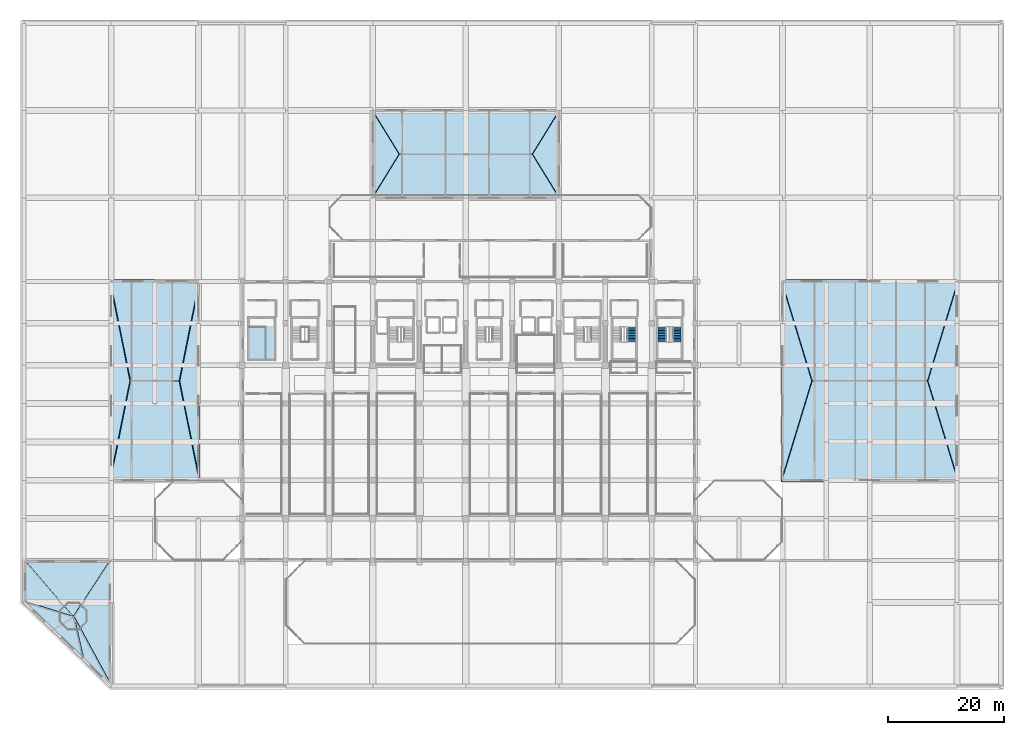
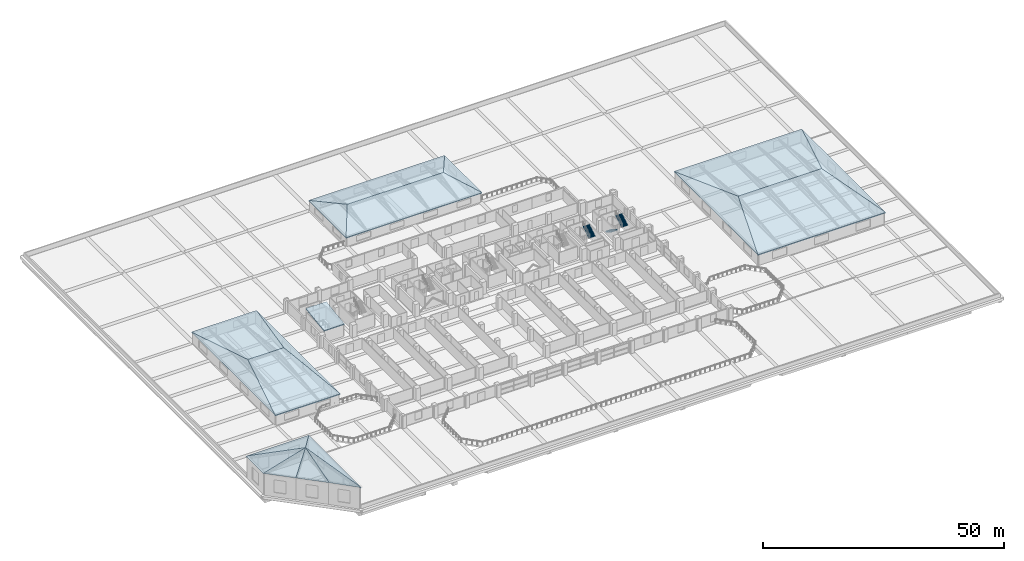
# One storey, part 44 of 49: 19 roofs, 3 stair flights, 2 elements without a shape of their own.
"""IFC4 building model written with IfcOpenShell, lengths in metres."""

from ifc_helpers import new_model, si_unit, direction, frame, origin, place, context, subcontext, project, spatial, polyline, outline, extrude, material, layer, layer_set, type_object, element, aggregate, save


model = new_model("IFC4")

# Units and contexts
model_context = context("Model", 3, precision=1e-05, world=origin(), true_north=direction((0.0, 1.0)))
body_context = subcontext(model_context, "Body", "Model", "MODEL_VIEW")
ifc_project = project(units=[si_unit("LENGTHUNIT", "METRE"), si_unit("AREAUNIT", "SQUARE_METRE"), si_unit("VOLUMEUNIT", "CUBIC_METRE"), si_unit("PLANEANGLEUNIT", "RADIAN"), si_unit("MASSUNIT", "GRAM", prefix="KILO")], contexts=[model_context])

# Site, building, storey
site_placement = place(None, origin())
site = spatial("IfcSite", under=ifc_project, at=site_placement, CompositionType="ELEMENT")
building_placement = place(site_placement, origin())
building = spatial("IfcBuilding", under=site, at=building_placement, Name="Akrevak Sports Hall", CompositionType="ELEMENT")
storey_placement = place(building_placement, frame((0.0, 0.0, 24.14990234375)))
storey = spatial("IfcBuildingStorey", under=building, at=storey_placement, Name="L04", CompositionType="ELEMENT", Elevation=24.14990234375)

# Stair, stair flight
ifc_material_1 = material(Name="Concrete C40/50", Category="concrete")
stair_type = type_object("IfcStairType", Name="ARC-STR-DOG-340", PredefinedType="HALF_TURN_STAIR", material=ifc_material_1)
stair_1_placement = place(storey_placement, origin())
stair_1 = element("IfcStair", 1, at=stair_1_placement, inside=storey, type_object=stair_type, Name="East Wing Exit Stair ST10 (L04 to L05)", PredefinedType="HALF_TURN_STAIR")
stair_flight_type = type_object("IfcStairFlightType", Name="ARC-FLT-165-170", PredefinedType="STRAIGHT", material=ifc_material_1)
stair_flight_1_placement = place(storey_placement, frame((104.489990234375, 59.215087890625, 1.7001953125), z_axis=(0.0, 0.0, 1.0), x_axis=(0.0, 1.0, 0.0)))
stair_flight_1 = element("IfcStairFlight", 2, at=stair_flight_1_placement, type_object=stair_flight_type, Name="Stair ST10 Flight 2 (L04)", NumberOfRisers=10, NumberOfTreads=9, PredefinedType="STRAIGHT", RiserHeight=0.17, TreadLength=0.28, context=body_context, shape_type="SweptSolid", body=[
    extrude(outline(polyline([(0.0, 0.0), (0.0, 0.169921875), (0.280029296875, 0.169921875), (0.280029296875, 0.340087890625), (0.56005859375, 0.340087890625), (0.56005859375, 0.510009765625), (0.840087890625, 0.510009765625), (0.840087890625, 0.679931640625), (1.1201171875, 0.679931640625), (1.1201171875, 0.85009765625), (1.39990234375, 0.85009765625), (1.39990234375, 1.02001953125), (1.679931640625, 1.02001953125), (1.679931640625, 1.18994140625), (1.9599609375, 1.18994140625), (1.9599609375, 1.360107421875), (2.239990234375, 1.360107421875), (2.239990234375, 1.530029296875), (2.52001953125, 1.530029296875), (2.52001953125, 1.699951171875), (2.52001953125, 1.296142578125), (0.38525390625, 0.0), (0.0, 0.0)])), frame((0.0, 0.75, 0.0), z_axis=(0.0, -1.0, 0.0), x_axis=(1.0, 0.0, 0.0)), (0.0, 0.0, 1.0), 1.5),
])
aggregate(stair_1, [stair_flight_1])

# Stair, stair flights
stair_2_placement = place(storey_placement, origin())
stair_2 = element("IfcStair", 3, at=stair_2_placement, inside=storey, type_object=stair_type, Name="East Transfer Exit Stair ST11 (L04 to L05)", PredefinedType="HALF_TURN_STAIR")
stair_flight_2_placement = place(storey_placement, frame((109.81005859375, 61.735107421875, 0.0), z_axis=(0.0, 0.0, 1.0), x_axis=(0.0, -1.0, 0.0)))
stair_flight_2 = element("IfcStairFlight", 4, at=stair_flight_2_placement, type_object=stair_flight_type, Name="Stair ST11 Flight 1 (L04)", NumberOfRisers=10, NumberOfTreads=9, PredefinedType="STRAIGHT", RiserHeight=0.17, TreadLength=0.28, context=body_context, shape_type="SweptSolid", body=[
    extrude(outline(polyline([(0.0, 0.0), (0.0, 0.169921875), (0.280029296875, 0.169921875), (0.280029296875, 0.340087890625), (0.56005859375, 0.340087890625), (0.56005859375, 0.510009765625), (0.840087890625, 0.510009765625), (0.840087890625, 0.679931640625), (1.1201171875, 0.679931640625), (1.1201171875, 0.85009765625), (1.39990234375, 0.85009765625), (1.39990234375, 1.02001953125), (1.679931640625, 1.02001953125), (1.679931640625, 1.18994140625), (1.9599609375, 1.18994140625), (1.9599609375, 1.360107421875), (2.239990234375, 1.360107421875), (2.239990234375, 1.530029296875), (2.52001953125, 1.530029296875), (2.52001953125, 1.699951171875), (2.52001953125, 1.296142578125), (0.38525390625, 0.0), (0.0, 0.0)])), frame((0.0, 0.75, 0.0), z_axis=(0.0, -1.0, 0.0), x_axis=(1.0, 0.0, 0.0)), (0.0, 0.0, 1.0), 1.5),
])
stair_flight_3_placement = place(storey_placement, frame((112.2900390625, 59.215087890625, 1.7001953125), z_axis=(0.0, 0.0, 1.0), x_axis=(0.0, 1.0, 0.0)))
stair_flight_3 = element("IfcStairFlight", 5, at=stair_flight_3_placement, type_object=stair_flight_type, Name="Stair ST11 Flight 2 (L04)", NumberOfRisers=10, NumberOfTreads=9, PredefinedType="STRAIGHT", RiserHeight=0.17, TreadLength=0.28, context=body_context, shape_type="SweptSolid", body=[
    extrude(outline(polyline([(0.0, 0.0), (0.0, 0.169921875), (0.280029296875, 0.169921875), (0.280029296875, 0.340087890625), (0.56005859375, 0.340087890625), (0.56005859375, 0.510009765625), (0.840087890625, 0.510009765625), (0.840087890625, 0.679931640625), (1.1201171875, 0.679931640625), (1.1201171875, 0.85009765625), (1.39990234375, 0.85009765625), (1.39990234375, 1.02001953125), (1.679931640625, 1.02001953125), (1.679931640625, 1.18994140625), (1.9599609375, 1.18994140625), (1.9599609375, 1.360107421875), (2.239990234375, 1.360107421875), (2.239990234375, 1.530029296875), (2.52001953125, 1.530029296875), (2.52001953125, 1.699951171875), (2.52001953125, 1.296142578125), (0.38525390625, 0.0), (0.0, 0.0)])), frame((0.0, 0.75, 0.0), z_axis=(0.0, -1.0, 0.0), x_axis=(1.0, 0.0, 0.0)), (0.0, 0.0, 1.0), 1.5),
])
aggregate(stair_2, [stair_flight_2, stair_flight_3])

# Roofs
ifc_material_2 = material(Name="Patinated Copper-Zinc Dome on Concrete C40/50", Category="aluminium")
ifc_layer_1 = layer(ifc_material_2, 0.260009765625, Name="Patinated Copper-Zinc Dome on Concrete C40/50")
ifc_layer_set_1 = layer_set([ifc_layer_1], Name="Patinated Copper-Zinc Dome on Concrete C40/50")
roof_type_1 = type_object("IfcRoofType", Name="ARC-ROOF-DOME", PredefinedType="DOME_ROOF", material=ifc_layer_set_1)
roof_1_placement = place(storey_placement, frame((14.999267578125, -0.158203125, 5.7001953125), z_axis=(0.621047514925, 0.0, 0.783772916223), x_axis=(0.0, 1.0, 0.0)))
element("IfcRoof", 6, at=roof_1_placement, inside=storey, type_object=roof_type_1, Name="Beaux-Arts Corner Rotunda Cupola Gore 1", PredefinedType="DOME_ROOF", context=body_context, shape_type="SweptSolid", body=[
    extrude(outline(polyline([(0.0, 0.0), (21.8564453125, 0.0), (11.958251953125, 8.292283955716215), (0.0, 0.0)])), origin(), (0.0, 0.0, -1.0), 0.260009765625),
])
roof_2_placement = place(storey_placement, frame((14.999267578125, 21.6982421875, 5.7001953125), z_axis=(0.0, 0.461553206836, 0.887112527958), x_axis=(-1.0, 0.0, 0.0)))
element("IfcRoof", 7, at=roof_2_placement, inside=storey, type_object=roof_type_1, Name="Beaux-Arts Corner Rotunda Cupola Gore 2", PredefinedType="DOME_ROOF", context=body_context, shape_type="SweptSolid", body=[
    extrude(outline(polyline([(0.0, 0.0), (15.05859375, 0.0), (6.499267578125, 11.15776527489878), (0.0, 0.0)])), origin(), (0.0, 0.0, -1.0), 0.260009765625),
])
roof_3_placement = place(storey_placement, frame((-0.059326171875, 21.6982421875, 5.7001953125), z_axis=(-0.515548466587, 0.0, 0.856860419555), x_axis=(0.0, -1.0, 0.0)))
element("IfcRoof", 8, at=roof_3_placement, inside=storey, type_object=roof_type_1, Name="Beaux-Arts Corner Rotunda Cupola Gore 3", PredefinedType="DOME_ROOF", context=body_context, shape_type="SweptSolid", body=[
    extrude(outline(polyline([(0.0, 0.0), (7.22021484375, 0.0), (9.898193359375, 9.989172071133126), (0.0, 0.0)])), origin(), (0.0, 0.0, -1.0), 0.260009765625),
])
roof_4_placement = place(storey_placement, frame((-0.059326171875, 14.47802734375, 5.7001953125), z_axis=(-0.547224434351, -0.569500040704, 0.613363776308), x_axis=(0.721068192209, -0.692864100805, 0.0)))
element("IfcRoof", 9, at=roof_4_placement, inside=storey, type_object=roof_type_1, Name="Beaux-Arts Corner Rotunda Cupola Gore 4", PredefinedType="DOME_ROOF", context=body_context, shape_type="SweptSolid", body=[
    extrude(outline(polyline([(0.0, 0.0), (6.94228289236211, 4.440892098500626e-16), (8.02733302548577, 6.520510110014449), (0.0, 0.0)])), origin(), (0.0, 0.0, -1.0), 0.260009765625),
])
roof_5_placement = place(storey_placement, frame((4.946533203125, 9.66796875, 5.7001953125), z_axis=(-0.54699738133, -0.56976755527, 0.613317860313), x_axis=(0.721374336453, -0.692545353537, 0.0)))
element("IfcRoof", 10, at=roof_5_placement, inside=storey, type_object=roof_type_1, Name="Beaux-Arts Corner Rotunda Cupola Gore 5", PredefinedType="DOME_ROOF", context=body_context, shape_type="SweptSolid", body=[
    extrude(outline(polyline([(0.0, 0.0), (7.139015187411244, 0.0), (1.086817601229876, 6.520215747032399), (0.0, 0.0)])), origin(), (0.0, 0.0, -1.0), 0.260009765625),
])
roof_6_placement = place(storey_placement, frame((10.096435546875, 4.723876953125, 5.7001953125), z_axis=(-0.563152166741, -0.565545922513, 0.602509291732), x_axis=(0.708604827713, -0.705605554217, 0.0)))
element("IfcRoof", 11, at=roof_6_placement, inside=storey, type_object=roof_type_1, Name="Beaux-Arts Corner Rotunda Cupola Gore 6", PredefinedType="DOME_ROOF", context=body_context, shape_type="SweptSolid", body=[
    extrude(outline(polyline([(0.0, 0.0), (6.918993266066677, 4.440892098500626e-16), (-6.124228113241013, 6.452607149595989), (0.0, 0.0)])), origin(), (0.0, 0.0, -1.0), 0.260009765625),
])
ifc_material_3 = material(Name="Standing Seam Slate-Zinc Roofing", Category="aluminium")
ifc_layer_2 = layer(ifc_material_3, 0.239990234375, Name="Standing Seam Slate-Zinc Roofing")
ifc_layer_set_2 = layer_set([ifc_layer_2], Name="Standing Seam Slate-Zinc Roofing")
roof_type_2 = type_object("IfcRoofType", Name="ARC-ROOF-MANSARD", PredefinedType="MANSARD_ROOF", material=ifc_layer_set_2)
for number, where, z_axis, x_axis, name in (
    (12, (14.699951171875, 35.10009765625, 2.7001953125), (0.0, -0.13383485503, 0.991003648621), (1.0, 0.0, 0.0), "West Sports Hall Clerestory Monitor Roof S Slope"),
    (13, (30.300048828125, 69.89990234375, 2.7001953125), (0.0, 0.13383485503, 0.991003648621), (-1.0, 0.0, 0.0), "West Sports Hall Clerestory Monitor Roof N Slope"),
):
    element("IfcRoof", number, at=place(storey_placement, frame(where, z_axis=z_axis, x_axis=x_axis)), inside=storey, type_object=roof_type_2, Name=name, PredefinedType="MANSARD_ROOF", context=body_context, shape_type="SweptSolid", body=[
        extrude(outline(polyline([(0.0, 0.0), (15.60009765625, 0.0), (12.10009765625, 17.557859012901655), (3.5, 17.557859012901655), (0.0, 0.0)])), origin(), (0.0, 0.0, -1.0), 0.239990234375),
    ])
for number, where, z_axis, x_axis, name in (
    (14, (30.300048828125, 35.10009765625, 2.7001953125), (0.557410237238, 0.0, 0.830237211538), (0.0, 1.0, 0.0), "West Sports Hall Clerestory Monitor Roof E Slope"),
    (15, (14.699951171875, 69.89990234375, 2.7001953125), (-0.557410237238, 0.0, 0.830237211538), (0.0, -1.0, 0.0), "West Sports Hall Clerestory Monitor Roof W Slope"),
):
    element("IfcRoof", number, at=place(storey_placement, frame(where, z_axis=z_axis, x_axis=x_axis)), inside=storey, type_object=roof_type_2, Name=name, PredefinedType="MANSARD_ROOF", context=body_context, shape_type="SweptSolid", body=[
        extrude(outline(polyline([(0.0, 0.0), (34.7998046875, 0.0), (17.39990234375, 4.2156626460018325), (0.0, 0.0)])), origin(), (0.0, 0.0, -1.0), 0.239990234375),
    ])
roof_7_placement = place(storey_placement, frame((38.449951171875, 56.0, 3.14013671875), z_axis=(0.0, -0.139040416585, 0.99028670725), x_axis=(1.0, 0.0, 0.0)))
element("IfcRoof", 16, at=roof_7_placement, inside=storey, type_object=roof_type_2, Name="West Transfer Stair ST9 Penthouse Shed Roof", PredefinedType="MANSARD_ROOF", context=body_context, shape_type="SweptSolid", body=[
    extrude(outline(polyline([(0.0, 0.0), (4.900146484375, 0.0), (4.900146484375, 7.62410398205946), (0.0, 7.62410398205946), (0.0, 0.0)])), origin(), (0.0, 0.0, -1.0), 0.239990234375),
])
for number, where, z_axis, x_axis, name in (
    (17, (130.199951171875, 35.10009765625, 2.900146484375), (0.0, -0.136632693666, 0.990621777987), (1.0, 0.0, 0.0), "East Volleyball & Climbing Hall Monitor Roof S Slope"),
    (18, (160.800048828125, 69.89990234375, 2.900146484375), (0.0, 0.136632693666, 0.990621777987), (-1.0, 0.0, 0.0), "East Volleyball & Climbing Hall Monitor Roof N Slope"),
):
    element("IfcRoof", number, at=place(storey_placement, frame(where, z_axis=z_axis, x_axis=x_axis)), inside=storey, type_object=roof_type_2, Name=name, PredefinedType="MANSARD_ROOF", context=body_context, shape_type="SweptSolid", body=[
        extrude(outline(polyline([(0.0, 0.0), (30.60009765625, 0.0), (25.300048828125, 17.564627318322852), (5.300048828125, 17.564627318322852), (0.0, 0.0)])), origin(), (0.0, 0.0, -1.0), 0.239990234375),
    ])
for number, where, z_axis, x_axis, name in (
    (19, (160.800048828125, 35.10009765625, 2.900146484375), (0.412490470754, 0.0, 0.910961915525), (0.0, 1.0, 0.0), "East Volleyball & Climbing Hall Monitor Roof E Slope"),
    (20, (130.199951171875, 69.89990234375, 2.900146484375), (-0.412490470754, 0.0, 0.910961915525), (0.0, -1.0, 0.0), "East Volleyball & Climbing Hall Monitor Roof W Slope"),
):
    element("IfcRoof", number, at=place(storey_placement, frame(where, z_axis=z_axis, x_axis=x_axis)), inside=storey, type_object=roof_type_2, Name=name, PredefinedType="MANSARD_ROOF", context=body_context, shape_type="SweptSolid", body=[
        extrude(outline(polyline([(0.0, 0.0), (34.7998046875, 0.0), (17.39990234375, 5.81807948038233), (0.0, 0.0)])), origin(), (0.0, 0.0, -1.0), 0.239990234375),
    ])
for number, where, z_axis, x_axis, name in (
    (21, (59.699951171875, 83.699951171875, 2.400146484375), (0.0, -0.254192294301, 0.967153699015), (1.0, 0.0, 0.0), "North Athletes Hall Clerestory Monitor Roof S Slope"),
    (22, (92.300048828125, 99.300048828125, 2.400146484375), (0.0, 0.254192294301, 0.967153699015), (-1.0, 0.0, 0.0), "North Athletes Hall Clerestory Monitor Roof N Slope"),
):
    element("IfcRoof", number, at=place(storey_placement, frame(where, z_axis=z_axis, x_axis=x_axis)), inside=storey, type_object=roof_type_2, Name=name, PredefinedType="MANSARD_ROOF", context=body_context, shape_type="SweptSolid", body=[
        extrude(outline(polyline([(0.0, 0.0), (32.60009765625, 0.0), (27.800048828125, 8.064952691667253), (4.800048828125, 8.064952691667253), (0.0, 0.0)])), origin(), (0.0, 0.0, -1.0), 0.239990234375),
    ])
for number, where, z_axis, x_axis, name in (
    (23, (92.300048828125, 83.699951171875, 2.400146484375), (0.392767363403, 0.0, 0.919637862555), (0.0, 1.0, 0.0), "North Athletes Hall Clerestory Monitor Roof E Slope"),
    (24, (59.699951171875, 99.300048828125, 2.400146484375), (-0.392767363403, 0.0, 0.919637862555), (0.0, -1.0, 0.0), "North Athletes Hall Clerestory Monitor Roof W Slope"),
):
    element("IfcRoof", number, at=place(storey_placement, frame(where, z_axis=z_axis, x_axis=x_axis)), inside=storey, type_object=roof_type_2, Name=name, PredefinedType="MANSARD_ROOF", context=body_context, shape_type="SweptSolid", body=[
        extrude(outline(polyline([(0.0, 0.0), (15.60009765625, 0.0), (7.800048828125, 5.219498917528471), (0.0, 0.0)])), origin(), (0.0, 0.0, -1.0), 0.239990234375),
    ])

save(model, "model.ifc")
